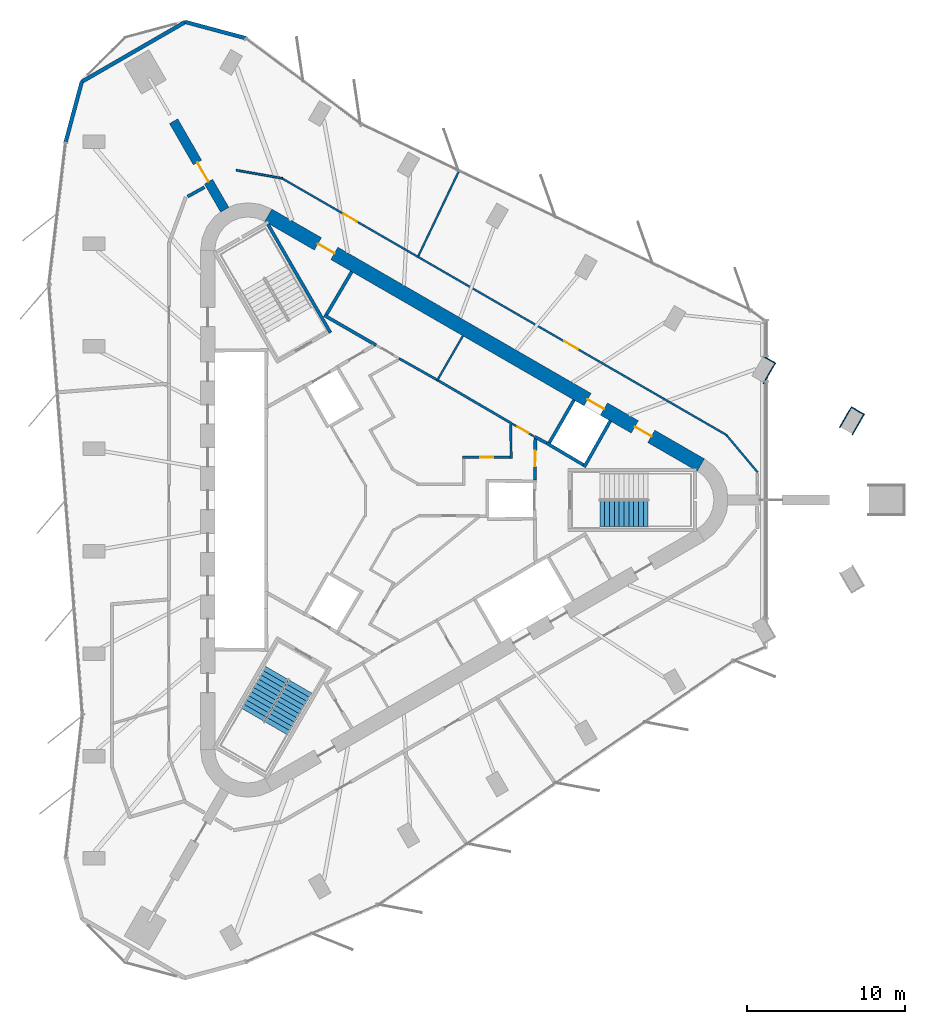
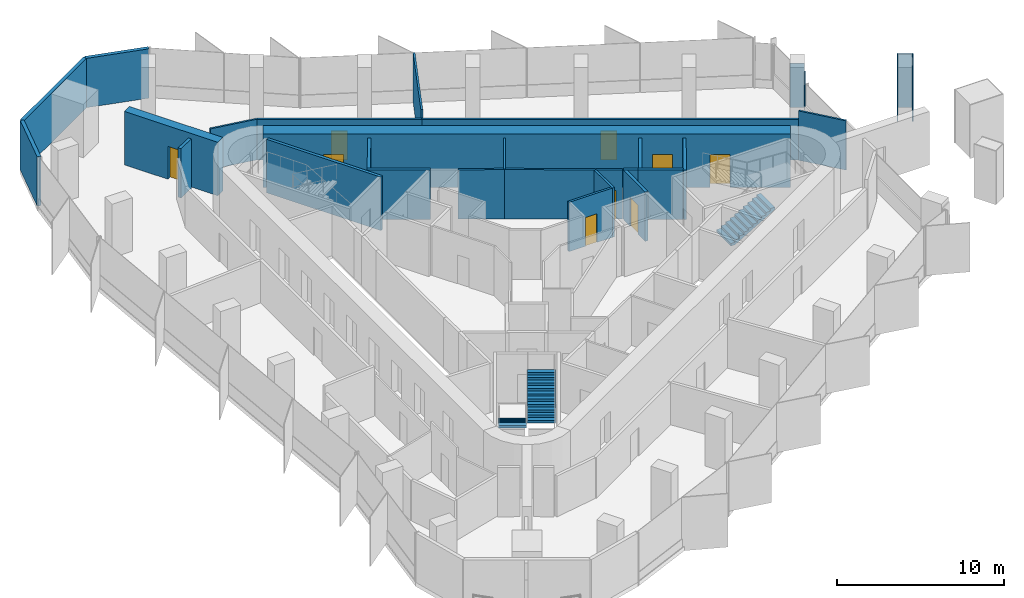
# One storey, part 10 of 12: 30 walls, 9 doors, 3 stair flights, 9 openings, 2 elements without a shape of their own.
"""IFC4 building model written with IfcOpenShell, lengths in metres."""

from ifc_helpers import new_model, si_unit, direction, frame, frame_2d, origin, place, context, subcontext, project, spatial, polyline, rectangle, outline, extrude, material, layer, layer_set, type_object, element, fill, aggregate, save


model = new_model("IFC4")

# Units and contexts
model_context = context("Model", 3, precision=1e-05, world=origin(), true_north=direction((0.0, 1.0)))
body_context = subcontext(model_context, "Body", "Model", "MODEL_VIEW")
ifc_project = project(units=[si_unit("LENGTHUNIT", "METRE"), si_unit("AREAUNIT", "SQUARE_METRE"), si_unit("VOLUMEUNIT", "CUBIC_METRE"), si_unit("PLANEANGLEUNIT", "RADIAN"), si_unit("MASSUNIT", "GRAM", prefix="KILO")], contexts=[model_context])

# Site, building, storey
site_placement = place(None, origin())
site = spatial("IfcSite", under=ifc_project, at=site_placement, CompositionType="ELEMENT")
building_placement = place(site_placement, origin())
building = spatial("IfcBuilding", under=site, at=building_placement, Name="Tanit Gate Tower", CompositionType="ELEMENT")
storey_placement = place(building_placement, frame((0.0, 0.0, 380.60009765625)))
storey = spatial("IfcBuildingStorey", under=building, at=storey_placement, Name="L87", CompositionType="ELEMENT", Elevation=380.60009765625)

# Wall, opening, door
ifc_material_1 = material(Name="Concrete C40/50", Category="concrete")
ifc_layer_1 = layer(ifc_material_1, 0.60009765625)
ifc_layer_set_1 = layer_set([ifc_layer_1], Name="BUTTRESS FIN 600 C40/50")
wall_type_1 = type_object("IfcWallType", Name="BUTTRESS FIN 600 C40/50", PredefinedType="SHEAR", material=ifc_layer_set_1)
wall_1_placement = place(storey_placement, frame((-10.574951171875, 18.31640625, 0.0), z_axis=(0.0, 0.0, 1.0), x_axis=(-0.500011655475, 0.866018674388, 0.0)))
wall_1 = element("IfcWall", 1, at=wall_1_placement, inside=storey, type_object=wall_type_1, Name="BUTTRESS FIN", PredefinedType="SHEAR", context=body_context, shape_type="SweptSolid", body=[
    extrude(rectangle(XDim=6.454833984375, YDim=0.60009765625, at=frame_2d((3.2275390625, 0.0))), origin(), (0.0, 0.0, 1.0), 3.89990234375),
])
opening_1_placement = place(wall_1_placement, frame((2.050048828125, 0.0, 0.0)))
opening_1 = element("IfcOpeningElement", 2, at=opening_1_placement, cuts=wall_1, Name="Opening P14-87-F-NW-1", PredefinedType="OPENING", context=body_context, shape_type="SweptSolid", body=[
    extrude(rectangle(XDim=1.39990234375, YDim=2.39990234375, at=frame_2d((0.699951171875, 1.199951171875))), frame((0.0, 0.31005859375, 0.0), z_axis=(0.0, -1.0, 0.0), x_axis=(1.0, 0.0, 0.0)), (0.0, 0.0, 1.0), 0.6201171875),
])
ifc_material_2 = material(Name="Timber door leaf", Category="wood")
door_type_1 = type_object("IfcDoorType", Name="INT-DOOR-FIN-PAIR-1400", OperationType="NOTDEFINED", PredefinedType="NOTDEFINED", material=ifc_material_2)
door_1_placement = place(opening_1_placement, origin())
door_1 = element("IfcDoor", 3, at=door_1_placement, inside=storey, type_object=door_type_1, Name="Door P14-87-F-NW-1", OperationType="DOUBLE_DOOR_SINGLE_SWING", OverallHeight=2.39990234375, OverallWidth=1.39990234375, PredefinedType="NOTDEFINED", context=body_context, shape_type="SweptSolid", body=[
    extrude(rectangle(XDim=1.39990234375, YDim=2.39990234375, at=frame_2d((0.699951171875, 1.199951171875))), frame((0.0, 0.02490234375, 0.0), z_axis=(0.0, -1.0, 0.0), x_axis=(1.0, 0.0, 0.0)), (0.0, 0.0, 1.0), 0.050048828125),
])
fill(opening_1, door_1)

# Wall, openings, doors
ifc_material_3 = material(Name="Concrete C40/50", Category="concrete")
ifc_layer_2 = layer(ifc_material_3, 0.89990234375)
ifc_layer_set_2 = layer_set([ifc_layer_2], Name="CORE WALL 900 C40/50")
wall_type_2 = type_object("IfcWallType", Name="CORE WALL 900 C40/50", PredefinedType="SHEAR", material=ifc_layer_set_2)
wall_2_placement = place(storey_placement, frame((19.47509765625, 2.20849609375, 0.0), z_axis=(0.0, 0.0, 1.0), x_axis=(-0.866028369851, 0.499994862586, 0.0)))
wall_2 = element("IfcWall", 4, at=wall_2_placement, inside=storey, type_object=wall_type_2, Name="CORE WALL", PredefinedType="SHEAR", context=body_context, shape_type="SweptSolid", body=[
    extrude(rectangle(XDim=31.523193359375, YDim=0.89990234375, at=frame_2d((15.76171875, 0.0))), origin(), (0.0, 0.0, 1.0), 3.89990234375),
])
opening_2_placement = place(wall_2_placement, frame((7.0615234375, 0.0, 0.0)))
opening_2 = element("IfcOpeningElement", 5, at=opening_2_placement, cuts=wall_2, Name="Opening LDHL8-87", PredefinedType="OPENING", context=body_context, shape_type="SweptSolid", body=[
    extrude(rectangle(XDim=1.199951171875, YDim=2.39990234375, at=frame_2d((0.60009765625, 1.199951171875))), frame((0.0, 0.4599609375, 0.0), z_axis=(0.0, -1.0, 0.0), x_axis=(1.0, 0.0, 0.0)), (0.0, 0.0, 1.0), 0.919921875),
])
opening_3_placement = place(wall_2_placement, frame((3.611572265625, 0.0, 0.0)))
opening_3 = element("IfcOpeningElement", 6, at=opening_3_placement, cuts=wall_2, Name="Opening F12-87-FL1", PredefinedType="OPENING", context=body_context, shape_type="SweptSolid", body=[
    extrude(rectangle(XDim=1.199951171875, YDim=2.39990234375, at=frame_2d((0.60009765625, 1.199951171875))), frame((0.0, 0.4599609375, 0.0), z_axis=(0.0, -1.0, 0.0), x_axis=(1.0, 0.0, 0.0)), (0.0, 0.0, 1.0), 0.919921875),
])
opening_4_placement = place(wall_2_placement, frame((26.711669921875, 0.0, 0.0)))
opening_4 = element("IfcOpeningElement", 7, at=opening_4_placement, cuts=wall_2, Name="Opening F12-87-S2", PredefinedType="OPENING", context=body_context, shape_type="SweptSolid", body=[
    extrude(rectangle(XDim=1.199951171875, YDim=2.39990234375, at=frame_2d((0.60009765625, 1.199951171875))), frame((0.0, 0.4599609375, 0.0), z_axis=(0.0, -1.0, 0.0), x_axis=(1.0, 0.0, 0.0)), (0.0, 0.0, 1.0), 0.919921875),
])
ifc_material_4 = material(Name="Fire-rated steel door leaf", Category="steel")
door_type_2 = type_object("IfcDoorType", Name="INT-DOOR-FIRE-LOBBY-1200", OperationType="NOTDEFINED", PredefinedType="USERDEFINED", material=ifc_material_4)
door_2_placement = place(opening_3_placement, origin())
door_2 = element("IfcDoor", 8, at=door_2_placement, inside=storey, type_object=door_type_2, Name="Door F12-87-FL1", ObjectType="FIRE DOOR", OperationType="SINGLE_SWING_LEFT", OverallHeight=2.39990234375, OverallWidth=1.199951171875, PredefinedType="USERDEFINED", context=body_context, shape_type="SweptSolid", body=[
    extrude(rectangle(XDim=1.199951171875, YDim=2.39990234375, at=frame_2d((0.60009765625, 1.199951171875))), frame((0.0, 0.02490234375, 0.0), z_axis=(0.0, -1.0, 0.0), x_axis=(1.0, 0.0, 0.0)), (0.0, 0.0, 1.0), 0.050048828125),
])
fill(opening_3, door_2)
door_3_placement = place(opening_4_placement, origin())
door_3 = element("IfcDoor", 9, at=door_3_placement, inside=storey, type_object=door_type_2, Name="Door F12-87-S2", ObjectType="FIRE DOOR", OperationType="SINGLE_SWING_LEFT", OverallHeight=2.39990234375, OverallWidth=1.199951171875, PredefinedType="USERDEFINED", context=body_context, shape_type="SweptSolid", body=[
    extrude(rectangle(XDim=1.199951171875, YDim=2.39990234375, at=frame_2d((0.60009765625, 1.199951171875))), frame((0.0, 0.02490234375, 0.0), z_axis=(0.0, -1.0, 0.0), x_axis=(1.0, 0.0, 0.0)), (0.0, 0.0, 1.0), 0.050048828125),
])
fill(opening_4, door_3)
ifc_material_5 = material(Name="Stainless steel sliding door leaf", Category="steel")
door_type_3 = type_object("IfcDoorType", Name="INT-DOOR-LANDING-1200", OperationType="NOTDEFINED", PredefinedType="USERDEFINED", material=ifc_material_5)
door_4_placement = place(opening_2_placement, origin())
door_4 = element("IfcDoor", 10, at=door_4_placement, inside=storey, type_object=door_type_3, Name="Door LDHL8-87", ObjectType="LANDING DOOR", OperationType="SLIDING_TO_LEFT", OverallHeight=2.39990234375, OverallWidth=1.199951171875, PredefinedType="USERDEFINED", context=body_context, shape_type="SweptSolid", body=[
    extrude(rectangle(XDim=1.199951171875, YDim=2.39990234375, at=frame_2d((0.60009765625, 1.199951171875))), frame((0.0, 0.02490234375, 0.0), z_axis=(0.0, -1.0, 0.0), x_axis=(1.0, 0.0, 0.0)), (0.0, 0.0, 1.0), 0.050048828125),
])
fill(opening_2, door_4)

# Walls
ifc_material_6 = material(Name="Bronze anodised aluminium cladding", Category="aluminium")
ifc_layer_3 = layer(ifc_material_6, 0.06005859375)
ifc_layer_set_3 = layer_set([ifc_layer_3], Name="Column casing bronze 60")
wall_type_3 = type_object("IfcWallType", Name="Column casing bronze 60", PredefinedType="SOLIDWALL", material=ifc_layer_set_3)
for number, where, z_axis, x_axis, name in (
    (11, (28.235595703125, 4.568115234375, 0.0), (0.0, 0.0, 1.0), (0.499991248344, 0.866030456496, 0.0), "Column casing L87 P-NE1.L1"),
    (12, (29.023681640625, 4.11328125, 0.0), (0.0, 0.0, 1.0), (0.499991248344, 0.866030456496, 0.0), "Column casing L87 P-NE1.L2"),
):
    element("IfcWall", number, at=place(storey_placement, frame(where, z_axis=z_axis, x_axis=x_axis)), inside=storey, type_object=wall_type_3, Name=name, PredefinedType="SOLIDWALL", context=body_context, shape_type="SweptSolid", body=[
        extrude(rectangle(XDim=1.52001953125, YDim=0.06005859375, at=frame_2d((0.760009765625, 0.0))), origin(), (0.0, 0.0, 1.0), 3.89990234375),
    ])
wall_3_placement = place(storey_placement, frame((29.74267578125, 5.418701171875, 0.0), z_axis=(0.0, 0.0, 1.0), x_axis=(-0.866113839764, 0.499846793097, 0.0)))
element("IfcWall", 13, at=wall_3_placement, inside=storey, type_object=wall_type_3, Name="Column casing L87 P-NE1.S1", PredefinedType="SOLIDWALL", context=body_context, shape_type="SweptSolid", body=[
    extrude(rectangle(XDim=0.849853515625, YDim=0.06005859375, at=frame_2d((0.4248046875, 0.0))), origin(), (0.0, 0.0, 1.0), 3.89990234375),
])
wall_4_placement = place(storey_placement, frame((23.42578125, 7.34521484375, 1.099853515625), z_axis=(0.0, 0.0, 1.0), x_axis=(0.499991248344, 0.866030456496, 0.0)))
element("IfcWall", 14, at=wall_4_placement, inside=storey, type_object=wall_type_3, Name="Column casing L87 P-NE2.L2", PredefinedType="SOLIDWALL", context=body_context, shape_type="SweptSolid", body=[
    extrude(rectangle(XDim=1.52001953125, YDim=0.06005859375, at=frame_2d((0.760009765625, 0.0))), origin(), (0.0, 0.0, 1.0), 1.510009765625),
])
wall_5_placement = place(storey_placement, frame((24.144775390625, 8.650390625, 0.0), z_axis=(0.0, 0.0, 1.0), x_axis=(-0.865989465428, 0.500062241894, 0.0)))
element("IfcWall", 15, at=wall_5_placement, inside=storey, type_object=wall_type_3, Name="Column casing L87 P-NE2.S1", PredefinedType="SOLIDWALL", context=body_context, shape_type="SweptSolid", body=[
    extrude(rectangle(XDim=0.85009765625, YDim=0.06005859375, at=frame_2d((0.425048828125, 0.0))), origin(), (0.0, 0.0, 1.0), 3.2099609375),
])
ifc_material_7 = material(Name="Concrete C30/37 with bronze anodised aluminium cladding", Category="concrete")
ifc_layer_4 = layer(ifc_material_7, 0.239990234375)
ifc_layer_set_4 = layer_set([ifc_layer_4], Name="Facade wall bronze clad 240")
wall_type_4 = type_object("IfcWallType", Name="Facade wall bronze clad 240", PredefinedType="SOLIDWALL", material=ifc_layer_set_4)
wall_6_placement = place(storey_placement, frame((-9.27880859375, 29.157958984375, 0.0), z_axis=(0.0, 0.0, 1.0), x_axis=(-0.965923842933, 0.258826446974, 0.0)))
element("IfcWall", 16, at=wall_6_placement, inside=storey, type_object=wall_type_4, Name="Bronze-clad facade wall L87 NW.arc1", PredefinedType="SOLIDWALL", context=body_context, shape_type="SweptSolid", body=[
    extrude(rectangle(XDim=3.91650390625, YDim=0.239990234375, at=frame_2d((1.958251953125, 0.0))), origin(), (0.0, 0.0, 1.0), 3.599853515625),
])
wall_7_placement = place(storey_placement, frame((-13.061767578125, 30.171630859375, 0.0), z_axis=(0.0, 0.0, 1.0), x_axis=(-0.86602506914, -0.500000579621, 0.0)))
element("IfcWall", 17, at=wall_7_placement, inside=storey, type_object=wall_type_4, Name="Bronze-clad facade wall L87 NW.arc2", PredefinedType="SOLIDWALL", context=body_context, shape_type="SweptSolid", body=[
    extrude(rectangle(XDim=7.5478515625, YDim=0.239990234375, at=frame_2d((3.77392578125, 0.0))), origin(), (0.0, 0.0, 1.0), 3.599853515625),
])
wall_8_placement = place(storey_placement, frame((-19.598388671875, 26.397705078125, 0.0), z_axis=(0.0, 0.0, 1.0), x_axis=(-0.258826121588, -0.965923930123, 0.0)))
element("IfcWall", 18, at=wall_8_placement, inside=storey, type_object=wall_type_4, Name="Bronze-clad facade wall L87 NW.arc3", PredefinedType="SOLIDWALL", context=body_context, shape_type="SweptSolid", body=[
    extrude(rectangle(XDim=3.9306640625, YDim=0.239990234375, at=frame_2d((1.96533203125, 0.0))), origin(), (0.0, 0.0, 1.0), 3.599853515625),
])
ifc_material_8 = material(Name="Fire-rated gypsum board partition")
ifc_layer_5 = layer(ifc_material_8, 0.199951171875)
ifc_layer_set_5 = layer_set([ifc_layer_5], Name="INT-WALL-COMPARTMENT")
wall_type_5 = type_object("IfcWallType", Name="INT-WALL-COMPARTMENT", PredefinedType="PARTITIONING", material=ifc_layer_set_5)
wall_9_placement = place(storey_placement, frame((8.97412109375, 3.998779296875, 0.0), z_axis=(0.0, 0.0, 1.0), x_axis=(0.880917147855, -0.473270513147, 0.0)))
element("IfcWall", 19, at=wall_9_placement, inside=storey, type_object=wall_type_5, Name="Wall Compartment W048", PredefinedType="PARTITIONING", context=body_context, shape_type="SweptSolid", body=[
    extrude(rectangle(XDim=0.8779296875, YDim=0.199951171875, at=frame_2d((0.43896484375, 0.0))), origin(), (0.0, 0.0, 1.0), 3.599853515625),
])
wall_10_placement = place(storey_placement, frame((-4.295654296875, 11.659912109375, 0.0), z_axis=(0.0, 0.0, 1.0), x_axis=(0.866027389382, -0.499996560828, 0.0)))
element("IfcWall", 20, at=wall_10_placement, inside=storey, type_object=wall_type_5, Name="Wall Compartment W051", PredefinedType="PARTITIONING", context=body_context, shape_type="SweptSolid", body=[
    extrude(rectangle(XDim=3.77783203125, YDim=0.199951171875, at=frame_2d((1.888916015625, 0.0))), origin(), (0.0, 0.0, 1.0), 3.599853515625),
])
wall_11_placement = place(storey_placement, frame((-2.557861328125, 14.409423828125, 0.0), z_axis=(0.0, 0.0, 1.0), x_axis=(-0.508018930956, -0.861345903683, 0.0)))
element("IfcWall", 21, at=wall_11_placement, inside=storey, type_object=wall_type_5, Name="Wall Compartment W052", PredefinedType="PARTITIONING", context=body_context, shape_type="SweptSolid", body=[
    extrude(rectangle(XDim=3.150146484375, YDim=0.199951171875, at=frame_2d((1.5751953125, 0.0))), origin(), (0.0, 0.0, 1.0), 3.599853515625),
])

# Wall, opening, door
wall_12_placement = place(storey_placement, frame((9.0009765625, 1.27001953125, 0.0), z_axis=(0.0, 0.0, 1.0), x_axis=(0.010723968736, 0.999942496594, 0.0)))
wall_12 = element("IfcWall", 22, at=wall_12_placement, inside=storey, type_object=wall_type_5, Name="Wall Compartment W066", PredefinedType="PARTITIONING", context=body_context, shape_type="SweptSolid", body=[
    extrude(rectangle(XDim=2.709228515625, YDim=0.199951171875, at=frame_2d((1.3544921875, 0.0))), origin(), (0.0, 0.0, 1.0), 3.599853515625),
])
opening_5_placement = place(wall_12_placement, frame((0.848388671875, 0.0, 0.0)))
opening_5 = element("IfcOpeningElement", 23, at=opening_5_placement, cuts=wall_12, Name="Opening F10-87-02", PredefinedType="OPENING", context=body_context, shape_type="SweptSolid", body=[
    extrude(rectangle(XDim=1.0, YDim=2.10009765625, at=frame_2d((0.5, 1.050048828125))), frame((0.0, 0.10986328125, 0.0), z_axis=(0.0, -1.0, 0.0), x_axis=(1.0, 0.0, 0.0)), (0.0, 0.0, 1.0), 0.219970703125),
])
ifc_material_9 = material(Name="Fire-rated steel door leaf", Category="steel")
door_type_4 = type_object("IfcDoorType", Name="INT-DOOR-FIRE-1000", OperationType="NOTDEFINED", PredefinedType="USERDEFINED", material=ifc_material_9)
door_5_placement = place(opening_5_placement, origin())
door_5 = element("IfcDoor", 24, at=door_5_placement, inside=storey, type_object=door_type_4, Name="Door F10-87-02", ObjectType="FIRE DOOR", OperationType="SINGLE_SWING_RIGHT", OverallHeight=2.10009765625, OverallWidth=1.0, PredefinedType="USERDEFINED", context=body_context, shape_type="SweptSolid", body=[
    extrude(rectangle(XDim=1.0, YDim=2.10009765625, at=frame_2d((0.5, 1.050048828125))), frame((0.0, 0.02490234375, 0.0), z_axis=(0.0, -1.0, 0.0), x_axis=(1.0, 0.0, 0.0)), (0.0, 0.0, 1.0), 0.050048828125),
])
fill(opening_5, door_5)

# Walls
wall_13_placement = place(storey_placement, frame((-11.85791015625, 19.738525390625, 0.0), z_axis=(0.0, 0.0, 1.0), x_axis=(-0.874375812865, -0.48524935639, 0.0)))
element("IfcWall", 25, at=wall_13_placement, inside=storey, type_object=wall_type_5, Name="Wall Compartment W094", PredefinedType="PARTITIONING", context=body_context, shape_type="SweptSolid", body=[
    extrude(rectangle(XDim=1.21142578125, YDim=0.199951171875, at=frame_2d((0.605712890625, 0.0))), origin(), (0.0, 0.0, 1.0), 3.599853515625),
])
ifc_material_10 = material(Name="Gypsum board partition")
ifc_layer_6 = layer(ifc_material_10, 0.1201171875)
ifc_layer_set_6 = layer_set([ifc_layer_6], Name="INT-WALL-PARTITION")
wall_type_6 = type_object("IfcWallType", Name="INT-WALL-PARTITION", PredefinedType="PARTITIONING", material=ifc_layer_set_6)
wall_14_placement = place(storey_placement, frame((4.456787109375, 10.359375, 0.0), z_axis=(0.0, 0.0, 1.0), x_axis=(-0.500017246033, -0.866015446554, 0.0)))
element("IfcWall", 26, at=wall_14_placement, inside=storey, type_object=wall_type_6, Name="Wall Partition W047", PredefinedType="PARTITIONING", context=body_context, shape_type="SweptSolid", body=[
    extrude(rectangle(XDim=3.25, YDim=0.1201171875, at=frame_2d((1.625, 0.0))), origin(), (0.0, 0.0, 1.0), 3.599853515625),
])

# Wall, opening, door
wall_15_placement = place(storey_placement, frame((7.550048828125, 4.82080078125, 0.0), z_axis=(0.0, 0.0, 1.0), x_axis=(0.866019818373, -0.500009674092, 0.0)))
wall_15 = element("IfcWall", 27, at=wall_15_placement, inside=storey, type_object=wall_type_6, Name="Wall Partition W050", PredefinedType="PARTITIONING", context=body_context, shape_type="SweptSolid", body=[
    extrude(rectangle(XDim=1.59423828125, YDim=0.1201171875, at=frame_2d((0.797119140625, 0.0))), origin(), (0.0, 0.0, 1.0), 3.599853515625),
])
opening_6_placement = place(wall_15_placement, frame((0.397216796875, 0.0, 0.0)))
opening_6 = element("IfcOpeningElement", 28, at=opening_6_placement, cuts=wall_15, Name="Opening R08-87-14", PredefinedType="OPENING", context=body_context, shape_type="SweptSolid", body=[
    extrude(rectangle(XDim=0.800048828125, YDim=2.10009765625, at=frame_2d((0.39990234375, 1.050048828125))), frame((0.0, 0.070068359375, 0.0), z_axis=(0.0, -1.0, 0.0), x_axis=(1.0, 0.0, 0.0)), (0.0, 0.0, 1.0), 0.14013671875),
])
ifc_material_11 = material(Name="Timber door leaf", Category="wood")
door_type_5 = type_object("IfcDoorType", Name="INT-DOOR-RISER-800", OperationType="NOTDEFINED", PredefinedType="USERDEFINED", material=ifc_material_11)
door_6_placement = place(opening_6_placement, origin())
door_6 = element("IfcDoor", 29, at=door_6_placement, inside=storey, type_object=door_type_5, Name="Door R08-87-14", ObjectType="FIRE DOOR", OperationType="SINGLE_SWING_LEFT", OverallHeight=2.10009765625, OverallWidth=0.800048828125, PredefinedType="USERDEFINED", context=body_context, shape_type="SweptSolid", body=[
    extrude(rectangle(XDim=0.800048828125, YDim=2.10009765625, at=frame_2d((0.39990234375, 1.050048828125))), frame((0.0, 0.02490234375, 0.0), z_axis=(0.0, -1.0, 0.0), x_axis=(1.0, 0.0, 0.0)), (0.0, 0.0, 1.0), 0.050048828125),
])
fill(opening_6, door_6)

wall_16_placement = place(storey_placement, frame((21.1259765625, 4.084228515625, 0.0), z_axis=(0.0, 0.0, 1.0), x_axis=(-0.866025296335, 0.500000186108, 0.0)))
wall_16 = element("IfcWall", 30, at=wall_16_placement, inside=storey, type_object=wall_type_6, Name="Wall Partition W109", PredefinedType="PARTITIONING", context=body_context, shape_type="SweptSolid", body=[
    extrude(rectangle(XDim=22.5234375, YDim=0.1201171875, at=frame_2d((11.26171875, 0.0))), origin(), (0.0, 0.0, 1.0), 2.969970703125),
])
opening_7_placement = place(wall_16_placement, frame((10.860107421875, 0.0, 0.0)))
opening_7 = element("IfcOpeningElement", 31, at=opening_7_placement, cuts=wall_16, Name="Opening D10-87-24", PredefinedType="OPENING", context=body_context, shape_type="SweptSolid", body=[
    extrude(rectangle(XDim=1.0, YDim=2.10009765625, at=frame_2d((0.5, 1.050048828125))), frame((0.0, 0.070068359375, 0.0), z_axis=(0.0, -1.0, 0.0), x_axis=(1.0, 0.0, 0.0)), (0.0, 0.0, 1.0), 0.14013671875),
])
ifc_material_12 = material(Name="Timber door leaf", Category="wood")
door_type_6 = type_object("IfcDoorType", Name="INT-DOOR-SINGLE-1000", OperationType="NOTDEFINED", PredefinedType="NOTDEFINED", material=ifc_material_12)
door_7_placement = place(opening_7_placement, origin())
door_7 = element("IfcDoor", 32, at=door_7_placement, inside=storey, type_object=door_type_6, Name="Door D10-87-24", OperationType="SINGLE_SWING_LEFT", OverallHeight=2.10009765625, OverallWidth=1.0, PredefinedType="NOTDEFINED", context=body_context, shape_type="SweptSolid", body=[
    extrude(rectangle(XDim=1.0, YDim=2.10009765625, at=frame_2d((0.5, 1.050048828125))), frame((0.0, 0.02490234375, 0.0), z_axis=(0.0, -1.0, 0.0), x_axis=(1.0, 0.0, 0.0)), (0.0, 0.0, 1.0), 0.050048828125),
])
fill(opening_7, door_7)

wall_17_placement = place(storey_placement, frame((1.6201171875, 15.345947265625, 0.0), z_axis=(0.0, 0.0, 1.0), x_axis=(-0.866024423855, 0.500001697284, 0.0)))
wall_17 = element("IfcWall", 33, at=wall_17_placement, inside=storey, type_object=wall_type_6, Name="Wall Partition W113", PredefinedType="PARTITIONING", context=body_context, shape_type="SweptSolid", body=[
    extrude(rectangle(XDim=9.86376953125, YDim=0.1201171875, at=frame_2d((4.931884765625, 0.0))), origin(), (0.0, 0.0, 1.0), 2.969970703125),
])
opening_8_placement = place(wall_17_placement, frame((4.434814453125, 0.0, 0.0)))
opening_8 = element("IfcOpeningElement", 34, at=opening_8_placement, cuts=wall_17, Name="Opening D10-87-25", PredefinedType="OPENING", context=body_context, shape_type="SweptSolid", body=[
    extrude(rectangle(XDim=1.0, YDim=2.10009765625, at=frame_2d((0.5, 1.050048828125))), frame((0.0, 0.070068359375, 0.0), z_axis=(0.0, -1.0, 0.0), x_axis=(1.0, 0.0, 0.0)), (0.0, 0.0, 1.0), 0.14013671875),
])
door_8_placement = place(opening_8_placement, origin())
door_8 = element("IfcDoor", 35, at=door_8_placement, inside=storey, type_object=door_type_6, Name="Door D10-87-25", OperationType="SINGLE_SWING_LEFT", OverallHeight=2.10009765625, OverallWidth=1.0, PredefinedType="NOTDEFINED", context=body_context, shape_type="SweptSolid", body=[
    extrude(rectangle(XDim=1.0, YDim=2.10009765625, at=frame_2d((0.5, 1.050048828125))), frame((0.0, 0.02490234375, 0.0), z_axis=(0.0, -1.0, 0.0), x_axis=(1.0, 0.0, 0.0)), (0.0, 0.0, 1.0), 0.050048828125),
])
fill(opening_8, door_8)

# Walls
wall_18_placement = place(storey_placement, frame((23.060546875, 1.746826171875, 0.0), z_axis=(0.0, 0.0, 1.0), x_axis=(-0.642780078291, 0.766050762647, 0.0)))
element("IfcWall", 36, at=wall_18_placement, inside=storey, type_object=wall_type_6, Name="Wall Partition W110", PredefinedType="PARTITIONING", context=body_context, shape_type="SweptSolid", body=[
    extrude(rectangle(XDim=3.0302734375, YDim=0.1201171875, at=frame_2d((1.51513671875, 0.0))), origin(), (0.0, 0.0, 1.0), 3.599853515625),
])
wall_19_placement = place(storey_placement, frame((-6.9150390625, 20.29736328125, 0.0), z_axis=(0.0, 0.0, 1.0), x_axis=(-0.984804149706, 0.173668611791, 0.0)))
element("IfcWall", 37, at=wall_19_placement, inside=storey, type_object=wall_type_6, Name="Wall Partition W112", PredefinedType="PARTITIONING", context=body_context, shape_type="SweptSolid", body=[
    extrude(rectangle(XDim=2.983154296875, YDim=0.1201171875, at=frame_2d((1.49169921875, 0.0))), origin(), (0.0, 0.0, 1.0), 2.969970703125),
])
wall_20_placement = place(storey_placement, frame((4.20703125, 20.76611328125, 0.0), z_axis=(0.0, 0.0, 1.0), x_axis=(-0.431077681357, -0.902314819027, 0.0)))
element("IfcWall", 38, at=wall_20_placement, inside=storey, type_object=wall_type_6, Name="Wall Partition W114", PredefinedType="PARTITIONING", context=body_context, shape_type="SweptSolid", body=[
    extrude(rectangle(XDim=5.945556640625, YDim=0.1201171875, at=frame_2d((2.97265625, 0.0))), origin(), (0.0, 0.0, 1.0), 3.599853515625),
])
ifc_material_13 = material(Name="Fire-rated gypsum board partition")
ifc_layer_7 = layer(ifc_material_13, 0.14990234375)
ifc_layer_set_7 = layer_set([ifc_layer_7], Name="INT-WALL-RISER")
wall_type_7 = type_object("IfcWallType", Name="INT-WALL-RISER", PredefinedType="PLUMBINGWALL", material=ifc_layer_set_7)
wall_21_placement = place(storey_placement, frame((7.530029296875, 4.83251953125, 0.0), z_axis=(0.0, 0.0, 1.0), x_axis=(-0.863270393362, 0.50474174381, 0.0)))
element("IfcWall", 39, at=wall_21_placement, inside=storey, type_object=wall_type_7, Name="Wall Riser W049", PredefinedType="PLUMBINGWALL", context=body_context, shape_type="SweptSolid", body=[
    extrude(rectangle(XDim=5.455078125, YDim=0.14990234375, at=frame_2d((2.7275390625, 0.0))), origin(), (0.0, 0.0, 1.0), 3.599853515625),
])
wall_22_placement = place(storey_placement, frame((2.82080078125, 7.5859375, 0.0), z_axis=(0.0, 0.0, 1.0), x_axis=(-0.871409832999, 0.490555708306, 0.0)))
element("IfcWall", 40, at=wall_22_placement, inside=storey, type_object=wall_type_7, Name="Wall Riser W053", PredefinedType="PLUMBINGWALL", context=body_context, shape_type="SweptSolid", body=[
    extrude(rectangle(XDim=2.755126953125, YDim=0.14990234375, at=frame_2d((1.37744140625, 0.0))), origin(), (0.0, 0.0, 1.0), 3.599853515625),
])
wall_23_placement = place(storey_placement, frame((7.5009765625, 2.625, 0.0), z_axis=(0.0, 0.0, 1.0), x_axis=(-0.011798588722, 0.99993039423, 0.0)))
element("IfcWall", 41, at=wall_23_placement, inside=storey, type_object=wall_type_7, Name="Wall Riser W083", PredefinedType="PLUMBINGWALL", context=body_context, shape_type="SweptSolid", body=[
    extrude(rectangle(XDim=2.152099609375, YDim=0.14990234375, at=frame_2d((1.076171875, 0.0))), origin(), (0.0, 0.0, 1.0), 3.599853515625),
])

# Wall, opening, door
wall_24_placement = place(storey_placement, frame((4.425048828125, 2.699951171875, 0.0), z_axis=(0.0, 0.0, 1.0), x_axis=(1.0, 0.0, 0.0)))
wall_24 = element("IfcWall", 42, at=wall_24_placement, inside=storey, type_object=wall_type_7, Name="Wall Riser W084", PredefinedType="PLUMBINGWALL", context=body_context, shape_type="SweptSolid", body=[
    extrude(rectangle(XDim=3.0, YDim=0.14990234375, at=frame_2d((1.5, 0.0))), origin(), (0.0, 0.0, 1.0), 3.599853515625),
])
opening_9_placement = place(wall_24_placement, frame((1.137451171875, 0.0, 0.0)))
opening_9 = element("IfcOpeningElement", 43, at=opening_9_placement, cuts=wall_24, Name="Opening R08-87-13", PredefinedType="OPENING", context=body_context, shape_type="SweptSolid", body=[
    extrude(rectangle(XDim=0.800048828125, YDim=2.10009765625, at=frame_2d((0.39990234375, 1.050048828125))), frame((0.0, 0.0849609375, 0.0), z_axis=(0.0, -1.0, 0.0), x_axis=(1.0, 0.0, 0.0)), (0.0, 0.0, 1.0), 0.169921875),
])
door_9_placement = place(opening_9_placement, origin())
door_9 = element("IfcDoor", 44, at=door_9_placement, inside=storey, type_object=door_type_5, Name="Door R08-87-13", ObjectType="FIRE DOOR", OperationType="SINGLE_SWING_RIGHT", OverallHeight=2.10009765625, OverallWidth=0.800048828125, PredefinedType="USERDEFINED", context=body_context, shape_type="SweptSolid", body=[
    extrude(rectangle(XDim=0.800048828125, YDim=2.10009765625, at=frame_2d((0.39990234375, 1.050048828125))), frame((0.0, 0.02490234375, 0.0), z_axis=(0.0, -1.0, 0.0), x_axis=(1.0, 0.0, 0.0)), (0.0, 0.0, 1.0), 0.050048828125),
])
fill(opening_9, door_9)

# Walls
ifc_material_14 = material(Name="Gypsum shaft wall system")
ifc_layer_8 = layer(ifc_material_14, 0.199951171875)
ifc_layer_set_8 = layer_set([ifc_layer_8], Name="INT-WALL-SHAFT")
wall_type_8 = type_object("IfcWallType", Name="INT-WALL-SHAFT", PredefinedType="PLUMBINGWALL", material=ifc_layer_set_8)
wall_25_placement = place(storey_placement, frame((9.8466796875, 3.494873046875, 0.0), z_axis=(0.0, 0.0, 1.0), x_axis=(0.499984717929, 0.866034226713, 0.0)))
element("IfcWall", 45, at=wall_25_placement, inside=storey, type_object=wall_type_8, Name="Wall Shaft W012", PredefinedType="PLUMBINGWALL", context=body_context, shape_type="SweptSolid", body=[
    extrude(rectangle(XDim=3.25, YDim=0.199951171875, at=frame_2d((1.625, 0.0))), origin(), (0.0, 0.0, 1.0), 3.599853515625),
])
wall_26_placement = place(storey_placement, frame((12.10986328125, 2.07275390625, 0.0), z_axis=(0.0, 0.0, 1.0), x_axis=(0.49196600604, 0.870614408852, 0.0)))
element("IfcWall", 46, at=wall_26_placement, inside=storey, type_object=wall_type_8, Name="Wall Shaft W013", PredefinedType="PLUMBINGWALL", context=body_context, shape_type="SweptSolid", body=[
    extrude(rectangle(XDim=3.35009765625, YDim=0.199951171875, at=frame_2d((1.675048828125, 0.0))), origin(), (0.0, 0.0, 1.0), 3.599853515625),
])
wall_27_placement = place(storey_placement, frame((12.072998046875, 2.2109375, 0.0), z_axis=(0.0, 0.0, 1.0), x_axis=(-0.860414880418, 0.509594185166, 0.0)))
element("IfcWall", 47, at=wall_27_placement, inside=storey, type_object=wall_type_8, Name="Wall Shaft W014", PredefinedType="PLUMBINGWALL", context=body_context, shape_type="SweptSolid", body=[
    extrude(rectangle(XDim=2.7001953125, YDim=0.199951171875, at=frame_2d((1.35009765625, 0.0))), origin(), (0.0, 0.0, 1.0), 3.599853515625),
])
ifc_material_15 = material(Name="Concrete C40/50", Category="concrete")
ifc_layer_9 = layer(ifc_material_15, 0.199951171875)
ifc_layer_set_9 = layer_set([ifc_layer_9], Name="INT-WALL-STAIR")
wall_type_9 = type_object("IfcWallType", Name="INT-WALL-STAIR", PredefinedType="SHEAR", material=ifc_layer_set_9)
wall_28_placement = place(storey_placement, frame((-7.8544921875, 17.404541015625, -0.300048828125), z_axis=(0.0, 0.0, 1.0), x_axis=(0.499997992926, -0.866026562566, 0.0)))
element("IfcWall", 48, at=wall_28_placement, inside=storey, type_object=wall_type_9, Name="Wall Stair W032", PredefinedType="SHEAR", context=body_context, shape_type="SweptSolid", body=[
    extrude(rectangle(XDim=7.89990234375, YDim=0.199951171875, at=frame_2d((3.949951171875, 0.0))), origin(), (0.0, 0.0, 1.0), 3.89990234375),
])

# Stair, stair flight
ifc_material_16 = material(Name="Concrete C40/50", Category="concrete")
stair_type = type_object("IfcStairType", Name="INT-STAIR-EXIT", PredefinedType="HALF_TURN_STAIR", material=ifc_material_16)
stair_1_placement = place(storey_placement, origin())
stair_1 = element("IfcStair", 49, at=stair_1_placement, inside=storey, type_object=stair_type, Name="L87 STAIR S1", PredefinedType="HALF_TURN_STAIR")
ifc_material_17 = material(Name="Concrete C40/50", Category="concrete")
stair_flight_type = type_object("IfcStairFlightType", Name="INT-STAIR-FLIGHT", PredefinedType="STRAIGHT", material=ifc_material_17)
stair_flight_1_placement = place(storey_placement, frame((13.094970703125, -0.8525390625, 0.0), z_axis=(0.0, 0.0, 1.0), x_axis=(1.0, 0.0, 0.0)))
stair_flight_1 = element("IfcStairFlight", 50, at=stair_flight_1_placement, type_object=stair_flight_type, Name="S1 flight 1", NumberOfRisers=11, NumberOfTreads=10, PredefinedType="STRAIGHT", RiserHeight=0.177272727, TreadLength=0.3051, context=body_context, shape_type="SweptSolid", body=[
    extrude(outline(polyline([(0.0, 0.0), (0.0, 0.17724609375), (0.30517578125, 0.17724609375), (0.30517578125, 0.3544921875), (0.610107421875, 0.3544921875), (0.610107421875, 0.53173828125), (0.915283203125, 0.53173828125), (0.915283203125, 0.708984375), (1.220458984375, 0.708984375), (1.220458984375, 0.886474609375), (1.525390625, 0.886474609375), (1.525390625, 1.063720703125), (1.83056640625, 1.063720703125), (1.83056640625, 1.240966796875), (2.1357421875, 1.240966796875), (2.1357421875, 1.418212890625), (2.44091796875, 1.418212890625), (2.44091796875, 1.595458984375), (2.745849609375, 1.595458984375), (2.745849609375, 1.772705078125), (3.051025390625, 1.772705078125), (3.051025390625, 1.949951171875), (3.051025390625, 1.599365234375), (0.29833984375, 0.0), (0.0, 0.0)])), frame((0.0, 0.84765625, 0.0), z_axis=(0.0, -1.0, 0.0), x_axis=(1.0, 0.0, 0.0)), (0.0, 0.0, 1.0), 1.695068359375),
])
aggregate(stair_1, [stair_flight_1])

# Stair, stair flights
stair_2_placement = place(storey_placement, origin())
stair_2 = element("IfcStair", 51, at=stair_2_placement, inside=storey, type_object=stair_type, Name="L87 STAIR S3", PredefinedType="HALF_TURN_STAIR")
stair_flight_2_placement = place(storey_placement, frame((-7.285888671875, -10.914306640625, 0.0), z_axis=(0.0, 0.0, 1.0), x_axis=(-0.5, -0.866025403784, 0.0)))
stair_flight_2 = element("IfcStairFlight", 52, at=stair_flight_2_placement, type_object=stair_flight_type, Name="S3 flight 1", NumberOfRisers=11, NumberOfTreads=10, PredefinedType="STRAIGHT", RiserHeight=0.177272727, TreadLength=0.3051, context=body_context, shape_type="SweptSolid", body=[
    extrude(outline(polyline([(0.0, 0.0), (0.0, 0.17724609375), (0.30517578125, 0.17724609375), (0.30517578125, 0.3544921875), (0.610107421875, 0.3544921875), (0.610107421875, 0.53173828125), (0.915283203125, 0.53173828125), (0.915283203125, 0.708984375), (1.220458984375, 0.708984375), (1.220458984375, 0.886474609375), (1.525390625, 0.886474609375), (1.525390625, 1.063720703125), (1.83056640625, 1.063720703125), (1.83056640625, 1.240966796875), (2.1357421875, 1.240966796875), (2.1357421875, 1.418212890625), (2.44091796875, 1.418212890625), (2.44091796875, 1.595458984375), (2.745849609375, 1.595458984375), (2.745849609375, 1.772705078125), (3.051025390625, 1.772705078125), (3.051025390625, 1.949951171875), (3.051025390625, 1.599365234375), (0.29833984375, 0.0), (0.0, 0.0)])), frame((0.0, 0.84765625, 0.0), z_axis=(0.0, -1.0, 0.0), x_axis=(1.0, 0.0, 0.0)), (0.0, 0.0, 1.0), 1.695068359375),
])
stair_flight_3_placement = place(storey_placement, frame((-7.334716796875, -14.4091796875, 1.949951171875), z_axis=(0.0, 0.0, 1.0), x_axis=(0.5, 0.866025403784, 0.0)))
stair_flight_3 = element("IfcStairFlight", 53, at=stair_flight_3_placement, type_object=stair_flight_type, Name="S3 flight 2", NumberOfRisers=11, NumberOfTreads=10, PredefinedType="STRAIGHT", RiserHeight=0.177272727, TreadLength=0.3051, context=body_context, shape_type="SweptSolid", body=[
    extrude(outline(polyline([(0.0, 0.0), (0.0, 0.17724609375), (0.30517578125, 0.17724609375), (0.30517578125, 0.3544921875), (0.610107421875, 0.3544921875), (0.610107421875, 0.53173828125), (0.915283203125, 0.53173828125), (0.915283203125, 0.708984375), (1.220458984375, 0.708984375), (1.220458984375, 0.886474609375), (1.525390625, 0.886474609375), (1.525390625, 1.063720703125), (1.83056640625, 1.063720703125), (1.83056640625, 1.240966796875), (2.1357421875, 1.240966796875), (2.1357421875, 1.418212890625), (2.44091796875, 1.418212890625), (2.44091796875, 1.595458984375), (2.745849609375, 1.595458984375), (2.745849609375, 1.772705078125), (3.051025390625, 1.772705078125), (3.051025390625, 1.949951171875), (3.051025390625, 1.599365234375), (0.29833984375, 0.0), (0.0, 0.0)])), frame((0.0, 0.84765625, 0.0), z_axis=(0.0, -1.0, 0.0), x_axis=(1.0, 0.0, 0.0)), (0.0, 0.0, 1.0), 1.695068359375),
])
aggregate(stair_2, [stair_flight_2, stair_flight_3])

save(model, "model.ifc")
